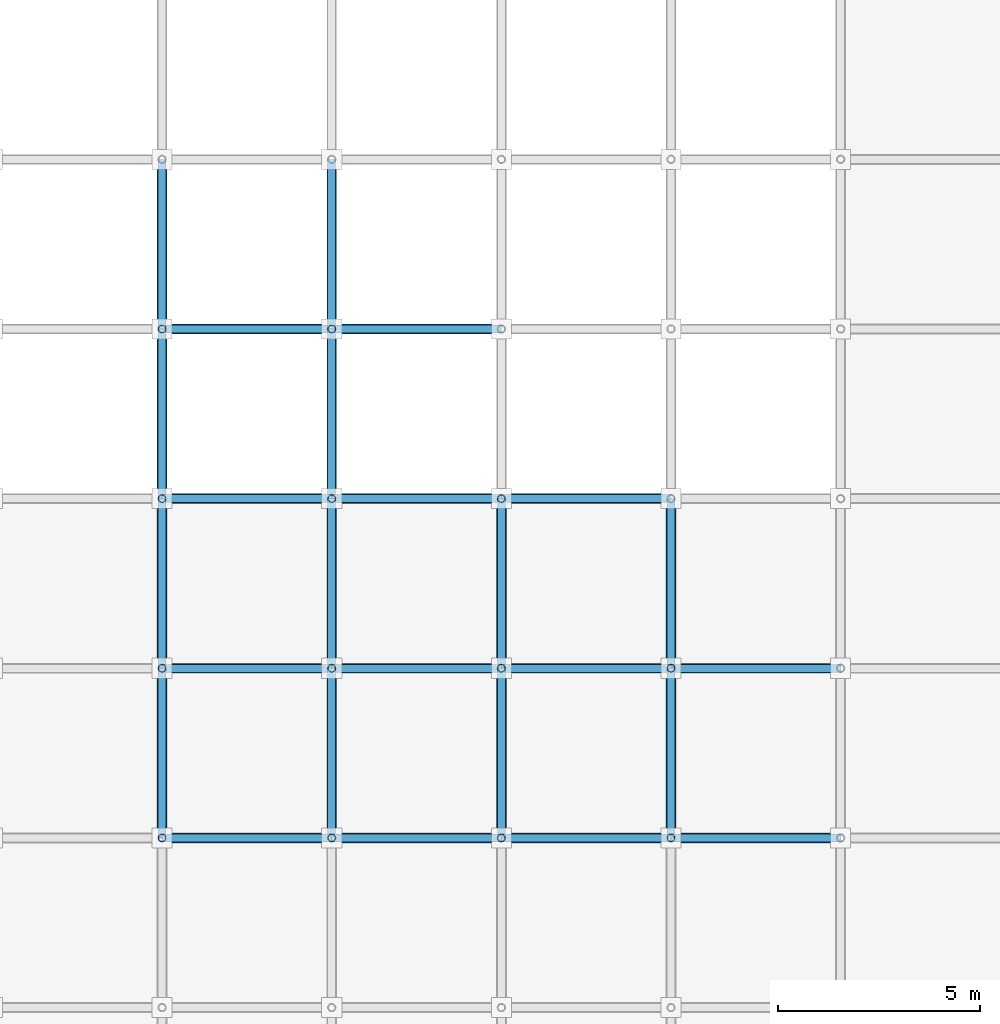
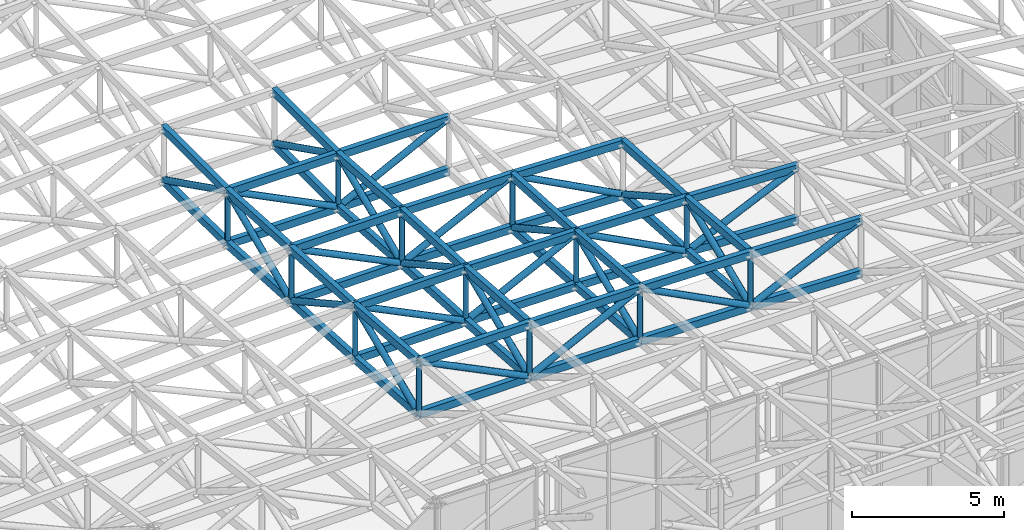
# One storey, part 37 of 123: 88 members.
"""IFC4 building model written with IfcOpenShell, lengths in metres."""

import ifcopenshell
import ifcopenshell.guid

model = None  # the IFC model being written
_history = None  # IfcOwnerHistory: only IFC2X3 demands one
_inside = {}  # id of a spatial element -> (the spatial element, [elements in it])
_under = {}  # id of a project, library or spatial element -> (it, [spatial elements below it])
_declared = {}  # id of a project -> (the project, [libraries it declares])
_typed = {}  # id of a type object -> (the type object, [elements of that type])
_made_of = {}  # id of a material, layer set ... -> (it, [elements and type objects made of it])


def new_model(schema):
    """Start an empty IFC model of exactly this schema.

    Asked for "IFC4X3", IfcOpenShell would pick the latest addendum, in which some entities
    have other attributes; the version numbers below select the first issue.
    IFC2X3 requires an IfcOwnerHistory on every rooted entity: one is made here for all.
    """
    global model, _history
    if schema == "IFC4X3":
        model = ifcopenshell.file(schema_version=(4, 3, 0, 0))
    else:
        model = ifcopenshell.file(schema=schema)
    _inside.clear()
    _under.clear()
    _declared.clear()
    _typed.clear()
    _made_of.clear()
    _history = None
    if model.schema == "IFC2X3":
        org = make("IfcOrganization", Name="unknown")
        user = make(
            "IfcPersonAndOrganization",
            ThePerson=make("IfcPerson", FamilyName="unknown"),
            TheOrganization=org,
        )
        app = make(
            "IfcApplication",
            ApplicationDeveloper=org,
            Version="unknown",
            ApplicationFullName="unknown",
            ApplicationIdentifier="unknown",
        )
        _history = make(
            "IfcOwnerHistory",
            OwningUser=user,
            OwningApplication=app,
            ChangeAction="ADDED",
            CreationDate=0,
        )
    return model


def make(cls, **values):
    """One entity of the class cls with the attributes given. An attribute that is None is left unset."""
    return model.create_entity(
        cls, **{name: value for name, value in values.items() if value is not None}
    )


def rooted(cls, **values):
    """An entity with a GlobalId (a new one), such as an element, a storey or a relation."""
    return make(cls, GlobalId=ifcopenshell.guid.new(), OwnerHistory=_history, **values)


def si_unit(unit_type, name, prefix=None):
    """IfcSIUnit, for example si_unit("LENGTHUNIT", "METRE", prefix="MILLI")."""
    return make("IfcSIUnit", UnitType=unit_type, Prefix=prefix, Name=name)


def assignment(units):
    """IfcUnitAssignment: the units of a project."""
    return None if units is None else make("IfcUnitAssignment", Units=units)


def point(xyz):
    """IfcCartesianPoint."""
    return None if xyz is None else make("IfcCartesianPoint", Coordinates=xyz)


def direction(xyz):
    """IfcDirection."""
    return None if xyz is None else make("IfcDirection", DirectionRatios=xyz)


def frame(location, z_axis=None, x_axis=None):
    """IfcAxis2Placement3D, a coordinate frame: its origin and axes. An axis left out is left unset."""
    return make(
        "IfcAxis2Placement3D",
        Location=point(location),
        Axis=direction(z_axis),
        RefDirection=direction(x_axis),
    )


def frame_2d(location, x_axis=None):
    """IfcAxis2Placement2D, a coordinate frame in the plane: its origin and x axis."""
    return make(
        "IfcAxis2Placement2D", Location=point(location), RefDirection=direction(x_axis)
    )


def origin():
    """The frame at (0, 0, 0) with its axes left unset."""
    return frame((0.0, 0.0, 0.0))


def origin_2d():
    """The frame at (0, 0) in the plane with its x axis left unset."""
    return frame_2d((0.0, 0.0))


def place(relative_to, where):
    """IfcLocalPlacement: puts the frame where relative to a parent placement (None: the world)."""
    return make(
        "IfcLocalPlacement", PlacementRelTo=relative_to, RelativePlacement=where
    )


def context(
    kind, dimensions, precision=None, world=None, true_north=None, identifier=None
):
    """IfcGeometricRepresentationContext, for example the 3D "Model" context."""
    return make(
        "IfcGeometricRepresentationContext",
        ContextIdentifier=identifier,
        ContextType=kind,
        CoordinateSpaceDimension=dimensions,
        Precision=precision,
        WorldCoordinateSystem=world,
        TrueNorth=true_north,
    )


def subcontext(parent, identifier, kind, view, scale=None):
    """IfcGeometricRepresentationSubContext, for example "Body" below "Model"."""
    return make(
        "IfcGeometricRepresentationSubContext",
        ContextIdentifier=identifier,
        ContextType=kind,
        ParentContext=parent,
        TargetScale=scale,
        TargetView=view,
    )


def project(units=None, contexts=None):
    """IfcProject with its units and contexts."""
    return rooted(
        "IfcProject",
        Name="project",
        RepresentationContexts=contexts,
        UnitsInContext=assignment(units),
    )


def spatial(cls, under=None, at=None, **own):
    """A site, building, storey or space (cls), placed at a placement, below another one or the project."""
    s = rooted(cls, ObjectPlacement=at, **own)
    if under is not None:
        _under.setdefault(under.id(), (under, []))[1].append(s)
    return s


def profile(cls, at=None, kind="AREA", **sizes):
    """A parametric profile (cls). Its sizes go by their IFC names, for example OverallWidth=200.0."""
    return make(cls, ProfileType=kind, Position=at, **sizes)


def hollow_rectangle(**sizes):
    """IfcRectangleHollowProfileDef."""
    return profile("IfcRectangleHollowProfileDef", **sizes)


def hollow_circle(**sizes):
    """IfcCircleHollowProfileDef."""
    return profile("IfcCircleHollowProfileDef", **sizes)


def extrude(swept, where, along, depth):
    """IfcExtrudedAreaSolid: the profile swept, set in the frame where, extruded along a direction by depth."""
    return make(
        "IfcExtrudedAreaSolid",
        SweptArea=swept,
        Position=where,
        ExtrudedDirection=direction(along),
        Depth=depth,
    )


def shape(context_of_items, identifier, shape_type, items):
    """IfcShapeRepresentation: the items that make up one representation, for example the "Body"."""
    return make(
        "IfcShapeRepresentation",
        ContextOfItems=context_of_items,
        RepresentationIdentifier=identifier,
        RepresentationType=shape_type,
        Items=items,
    )


def material(Name=None, Category=None):
    """IfcMaterial."""
    return make("IfcMaterial", Name=Name, Category=Category)


def material_profile(
    of_material, cross_section, Name=None, Category=None, Priority=None
):
    """IfcMaterialProfile: a cross section and its material."""
    return make(
        "IfcMaterialProfile",
        Name=Name,
        Material=of_material,
        Profile=cross_section,
        Priority=Priority,
        Category=Category,
    )


def profile_set(profiles, Name=None, composite=None):
    """IfcMaterialProfileSet."""
    return make(
        "IfcMaterialProfileSet",
        Name=Name,
        MaterialProfiles=profiles,
        CompositeProfile=composite,
    )


def made_of(thing, what):
    """Note that an element or type object is made of a material, layer set ...; save() writes the relation."""
    if what is not None:
        _made_of.setdefault(what.id(), (what, []))[1].append(thing)
    return thing


def type_object(cls, material=None, **own):
    """A type object (cls), such as IfcWallType, which elements share."""
    return made_of(rooted(cls, **own), material)


def element(
    cls,
    number,
    at=None,
    inside=None,
    cuts=None,
    type_object=None,
    material=None,
    context=None,
    identifier="Body",
    shape_type=None,
    held_by="IfcProductDefinitionShape",
    body=None,
    shapes=None,
    **own,
):
    """One element of the class cls, such as IfcWall. Its Tag is "e" and its number.

    at: its placement. inside: the storey or other place that contains it. cuts: it is an
    opening in that element (IfcRelVoidsElement). A single representation is given by context,
    identifier, shape_type and body (its items); several are given by shapes. held_by: the class
    of the entity that holds the representations. save() writes the other relations.
    """
    e = rooted(cls, Tag="e%d" % number, ObjectPlacement=at, **own)
    if body is not None:
        shapes = [shape(context, identifier, shape_type, body)]
    if shapes is not None:
        e.Representation = make(held_by, Representations=shapes)
    if inside is not None:
        _inside.setdefault(inside.id(), (inside, []))[1].append(e)
    if cuts is not None:
        rooted(
            "IfcRelVoidsElement", RelatingBuildingElement=cuts, RelatedOpeningElement=e
        )
    if type_object is not None:
        _typed.setdefault(type_object.id(), (type_object, []))[1].append(e)
    return made_of(e, material)


def aggregate(whole, parts):
    """IfcRelAggregates: a whole, such as a stair, and the parts it consists of."""
    return rooted("IfcRelAggregates", RelatingObject=whole, RelatedObjects=parts)


def save(model, path):
    """Write the relations noted so far, then the file.

    IfcRelAggregates (storeys below a building ...), IfcRelContainedInSpatialStructure (elements
    in a storey), IfcRelDefinesByType, IfcRelAssociatesMaterial and IfcRelDeclares: one each for
    every whole, place, type object, material and project.
    """
    for whole, parts in _under.values():
        aggregate(whole, parts)
    for where, things in _inside.values():
        rooted(
            "IfcRelContainedInSpatialStructure",
            RelatedElements=things,
            RelatingStructure=where,
        )
    for kind, things in _typed.values():
        rooted("IfcRelDefinesByType", RelatedObjects=things, RelatingType=kind)
    for what, things in _made_of.values():
        rooted("IfcRelAssociatesMaterial", RelatedObjects=things, RelatingMaterial=what)
    for by, libraries in _declared.values():
        rooted("IfcRelDeclares", RelatingContext=by, RelatedDefinitions=libraries)
    model.write(path)


model = new_model("IFC4")

# Units and contexts
model_context = context("Model", 3, precision=1e-05, world=origin(), true_north=direction((0.0, 1.0)))
body_context = subcontext(model_context, "Body", "Model", "MODEL_VIEW")
ifc_project = project(units=[si_unit("LENGTHUNIT", "METRE"), si_unit("AREAUNIT", "SQUARE_METRE"), si_unit("VOLUMEUNIT", "CUBIC_METRE"), si_unit("PLANEANGLEUNIT", "RADIAN"), si_unit("MASSUNIT", "GRAM", prefix="KILO")], contexts=[model_context])

# Site, building, storey
site_placement = place(None, origin())
site = spatial("IfcSite", under=ifc_project, at=site_placement, CompositionType="ELEMENT")
building_placement = place(site_placement, origin())
building = spatial("IfcBuilding", under=site, at=building_placement, Name="Cumbredor Promenade Congress Hotel", CompositionType="ELEMENT")
storey_placement = place(building_placement, frame((0.0, 0.0, 11.760009765625)))
storey = spatial("IfcBuildingStorey", under=building, at=storey_placement, Name="L03", CompositionType="ELEMENT", Elevation=11.760009765625)

# Members
ifc_material = material(Name="Steel ASTM A500 Grade C", Category="steel")
ifc_material_profile_1 = material_profile(ifc_material, hollow_rectangle(XDim=0.199951171875, YDim=0.300048828125, WallThickness=0.012451171875, at=origin_2d()), Name="HSS 300x200x12.5")
ifc_profile_set_1 = profile_set([ifc_material_profile_1], Name="Steel ASTM A500 Grade C")
member_type_1 = type_object("IfcMemberType", Name="Ballroom Roof Space Frame Chord", PredefinedType="CHORD", material=ifc_profile_set_1)
for number, where, z_axis, x_axis, name in (
    (1, (159.60009765625, 16.800048828125, 7.29052734375), (0.999982076435, 0.0, 0.005987220477), (0.0, 1.0, 0.0), "Grand Ballroom Pavilion X Top Chord 6.5"),
    (2, (159.60009765625, 16.800048828125, 5.190673828125), (0.999982422767, 0.0, 0.005929094177), (0.0, 1.0, 0.0), "Grand Ballroom Pavilion X Bottom Chord 6.5"),
    (3, (163.800048828125, 16.800048828125, 7.315673828125), (0.999982076435, 0.0, -0.005987220477), (0.0, 1.0, 0.0), "Grand Ballroom Pavilion X Top Chord 7.5"),
    (4, (163.800048828125, 16.800048828125, 5.215576171875), (0.999982422767, 0.0, -0.005929094177), (0.0, 1.0, 0.0), "Grand Ballroom Pavilion X Bottom Chord 7.5"),
):
    element("IfcMember", number, at=place(storey_placement, frame(where, z_axis=z_axis, x_axis=x_axis)), inside=storey, type_object=member_type_1, Name=name, PredefinedType="CHORD", context=body_context, shape_type="SweptSolid", body=[
        extrude(hollow_rectangle(XDim=0.199951171875, YDim=0.300048828125, WallThickness=0.012451171875, at=origin_2d()), origin(), (0.0, 0.0, 1.0), 4.199951171875),
    ])
for number, where, z_axis, x_axis, name in (
    (5, (168.0, 16.800048828125, 7.29052734375), (0.999841838259, 0.0, -0.01778478187), (0.0, 1.0, 0.0), "Grand Ballroom Pavilion X Top Chord 8.5"),
    (6, (168.0, 16.800048828125, 5.190673828125), (0.999840803081, 0.0, -0.017842883599), (0.0, 1.0, 0.0), "Grand Ballroom Pavilion X Bottom Chord 8.5"),
):
    element("IfcMember", number, at=place(storey_placement, frame(where, z_axis=z_axis, x_axis=x_axis)), inside=storey, type_object=member_type_1, Name=name, PredefinedType="CHORD", context=body_context, shape_type="SweptSolid", body=[
        extrude(hollow_rectangle(XDim=0.199951171875, YDim=0.300048828125, WallThickness=0.012451171875, at=origin_2d()), origin(), (0.0, 0.0, 1.0), 4.20068359375),
    ])
for number, where, z_axis, x_axis, name in (
    (7, (172.199951171875, 16.800048828125, 7.2158203125), (0.999560847032, 0.0, -0.029632972853), (0.0, 1.0, 0.0), "Grand Ballroom Pavilion X Top Chord 9.5"),
    (8, (172.199951171875, 16.800048828125, 5.11572265625), (0.999560847032, 0.0, -0.029632972853), (0.0, 1.0, 0.0), "Grand Ballroom Pavilion X Bottom Chord 9.5"),
):
    element("IfcMember", number, at=place(storey_placement, frame(where, z_axis=z_axis, x_axis=x_axis)), inside=storey, type_object=member_type_1, Name=name, PredefinedType="CHORD", context=body_context, shape_type="SweptSolid", body=[
        extrude(hollow_rectangle(XDim=0.199951171875, YDim=0.300048828125, WallThickness=0.012451171875, at=origin_2d()), origin(), (0.0, 0.0, 1.0), 4.201904296875),
    ])
for number, where, z_axis, x_axis, name in (
    (9, (159.60009765625, 21.0, 6.969970703125), (0.999962994954, 0.0, 0.008602832253), (0.0, 1.0, 0.0), "Grand Ballroom Pavilion X Top Chord 6.6"),
    (10, (159.60009765625, 21.0, 4.869873046875), (0.999962994954, 0.0, 0.008602832253), (0.0, 1.0, 0.0), "Grand Ballroom Pavilion X Bottom Chord 6.6"),
    (11, (163.800048828125, 21.0, 7.006103515625), (0.999962994954, 0.0, -0.008602832253), (0.0, 1.0, 0.0), "Grand Ballroom Pavilion X Top Chord 7.6"),
    (12, (163.800048828125, 21.0, 4.906005859375), (0.999962994954, 0.0, -0.008602832253), (0.0, 1.0, 0.0), "Grand Ballroom Pavilion X Bottom Chord 7.6"),
):
    element("IfcMember", number, at=place(storey_placement, frame(where, z_axis=z_axis, x_axis=x_axis)), inside=storey, type_object=member_type_1, Name=name, PredefinedType="CHORD", context=body_context, shape_type="SweptSolid", body=[
        extrude(hollow_rectangle(XDim=0.199951171875, YDim=0.300048828125, WallThickness=0.012451171875, at=origin_2d()), origin(), (0.0, 0.0, 1.0), 4.2001953125),
    ])
for number, where, z_axis, x_axis, name in (
    (13, (168.0, 21.0, 6.969970703125), (0.999670093245, 0.0, -0.02568471669), (0.0, 1.0, 0.0), "Grand Ballroom Pavilion X Top Chord 8.6"),
    (14, (168.0, 21.0, 4.869873046875), (0.999670093245, 0.0, -0.02568471669), (0.0, 1.0, 0.0), "Grand Ballroom Pavilion X Bottom Chord 8.6"),
):
    element("IfcMember", number, at=place(storey_placement, frame(where, z_axis=z_axis, x_axis=x_axis)), inside=storey, type_object=member_type_1, Name=name, PredefinedType="CHORD", context=body_context, shape_type="SweptSolid", body=[
        extrude(hollow_rectangle(XDim=0.199951171875, YDim=0.300048828125, WallThickness=0.012451171875, at=origin_2d()), origin(), (0.0, 0.0, 1.0), 4.201416015625),
    ])
for number, where, z_axis, x_axis, name in (
    (15, (172.199951171875, 21.0, 6.862060546875), (0.999083570035, 0.0, -0.042802103768), (0.0, 1.0, 0.0), "Grand Ballroom Pavilion X Top Chord 9.6"),
    (16, (172.199951171875, 21.0, 4.761962890625), (0.999086051861, 0.0, -0.042744133824), (0.0, 1.0, 0.0), "Grand Ballroom Pavilion X Bottom Chord 9.6"),
):
    element("IfcMember", number, at=place(storey_placement, frame(where, z_axis=z_axis, x_axis=x_axis)), inside=storey, type_object=member_type_1, Name=name, PredefinedType="CHORD", context=body_context, shape_type="SweptSolid", body=[
        extrude(hollow_rectangle(XDim=0.199951171875, YDim=0.300048828125, WallThickness=0.012451171875, at=origin_2d()), origin(), (0.0, 0.0, 1.0), 4.203857421875),
    ])
for number, where, z_axis, x_axis, name in (
    (17, (159.60009765625, 25.199951171875, 6.7294921875), (0.999944654448, 0.0, 0.010520838369), (0.0, 1.0, 0.0), "Grand Ballroom Pavilion X Top Chord 6.7"),
    (18, (159.60009765625, 25.199951171875, 4.62939453125), (0.999944654448, 0.0, 0.010520838369), (0.0, 1.0, 0.0), "Grand Ballroom Pavilion X Bottom Chord 6.7"),
    (19, (163.800048828125, 25.199951171875, 6.773681640625), (0.999944654448, 0.0, -0.010520838369), (0.0, 1.0, 0.0), "Grand Ballroom Pavilion X Top Chord 7.7"),
    (20, (163.800048828125, 25.199951171875, 4.673583984375), (0.999944654448, 0.0, -0.010520838369), (0.0, 1.0, 0.0), "Grand Ballroom Pavilion X Bottom Chord 7.7"),
):
    element("IfcMember", number, at=place(storey_placement, frame(where, z_axis=z_axis, x_axis=x_axis)), inside=storey, type_object=member_type_1, Name=name, PredefinedType="CHORD", context=body_context, shape_type="SweptSolid", body=[
        extrude(hollow_rectangle(XDim=0.199951171875, YDim=0.300048828125, WallThickness=0.012451171875, at=origin_2d()), origin(), (0.0, 0.0, 1.0), 4.2001953125),
    ])
for number, where, z_axis, x_axis, name in (
    (21, (168.0, 25.199951171875, 6.7294921875), (0.999500386849, 0.0, -0.031606592481), (0.0, 1.0, 0.0), "Grand Ballroom Pavilion X Top Chord 8.7"),
    (22, (168.0, 25.199951171875, 4.62939453125), (0.999500386849, 0.0, -0.031606592481), (0.0, 1.0, 0.0), "Grand Ballroom Pavilion X Bottom Chord 8.7"),
):
    element("IfcMember", number, at=place(storey_placement, frame(where, z_axis=z_axis, x_axis=x_axis)), inside=storey, type_object=member_type_1, Name=name, PredefinedType="CHORD", context=body_context, shape_type="SweptSolid", body=[
        extrude(hollow_rectangle(XDim=0.199951171875, YDim=0.300048828125, WallThickness=0.012451171875, at=origin_2d()), origin(), (0.0, 0.0, 1.0), 4.2021484375),
    ])
for number, where, z_axis, x_axis, name in (
    (23, (159.60009765625, 29.39990234375, 6.48876953125), (1.0, 0.0, 0.0), (0.0, 1.0, 0.0), "Grand Ballroom Pavilion X Top Chord 6.8"),
    (24, (159.60009765625, 29.39990234375, 4.388671875), (1.0, 0.0, 0.0), (0.0, 1.0, 0.0), "Grand Ballroom Pavilion X Bottom Chord 6.8"),
    (25, (163.800048828125, 29.39990234375, 6.48876953125), (1.0, 0.0, 0.0), (0.0, 1.0, 0.0), "Grand Ballroom Pavilion X Top Chord 7.8"),
    (26, (163.800048828125, 29.39990234375, 4.388671875), (1.0, 0.0, 0.0), (0.0, 1.0, 0.0), "Grand Ballroom Pavilion X Bottom Chord 7.8"),
):
    element("IfcMember", number, at=place(storey_placement, frame(where, z_axis=z_axis, x_axis=x_axis)), inside=storey, type_object=member_type_1, Name=name, PredefinedType="CHORD", context=body_context, shape_type="SweptSolid", body=[
        extrude(hollow_rectangle(XDim=0.199951171875, YDim=0.300048828125, WallThickness=0.012451171875, at=origin_2d()), origin(), (0.0, 0.0, 1.0), 4.199951171875),
    ])
for number, where, z_axis, x_axis, name in (
    (27, (159.60009765625, 16.800048828125, 7.29052734375), (0.0, 0.99709999537, -0.07610255734), (-1.0, 0.0, 0.0), "Grand Ballroom Pavilion Y Top Chord 6.5"),
    (28, (159.60009765625, 16.800048828125, 5.190673828125), (0.0, 0.997095595549, -0.076160182093), (-1.0, 0.0, 0.0), "Grand Ballroom Pavilion Y Bottom Chord 6.5"),
):
    element("IfcMember", number, at=place(storey_placement, frame(where, z_axis=z_axis, x_axis=x_axis)), inside=storey, type_object=member_type_1, Name=name, PredefinedType="CHORD", context=body_context, shape_type="SweptSolid", body=[
        extrude(hollow_rectangle(XDim=0.199951171875, YDim=0.300048828125, WallThickness=0.012451171875, at=origin_2d()), origin(), (0.0, 0.0, 1.0), 4.212158203125),
    ])
for number, where, z_axis, x_axis, name in (
    (29, (159.60009765625, 21.0, 6.969970703125), (0.0, 0.998364811443, -0.05716382836), (-1.0, 0.0, 0.0), "Grand Ballroom Pavilion Y Top Chord 6.6"),
    (30, (159.60009765625, 21.0, 4.869873046875), (0.0, 0.998364811443, -0.05716382836), (-1.0, 0.0, 0.0), "Grand Ballroom Pavilion Y Bottom Chord 6.6"),
    (31, (159.60009765625, 25.199951171875, 6.7294921875), (0.0, 0.998361497738, -0.057221672776), (-1.0, 0.0, 0.0), "Grand Ballroom Pavilion Y Top Chord 6.7"),
    (32, (159.60009765625, 25.199951171875, 4.62939453125), (0.0, 0.998361497738, -0.057221672776), (-1.0, 0.0, 0.0), "Grand Ballroom Pavilion Y Bottom Chord 6.7"),
):
    element("IfcMember", number, at=place(storey_placement, frame(where, z_axis=z_axis, x_axis=x_axis)), inside=storey, type_object=member_type_1, Name=name, PredefinedType="CHORD", context=body_context, shape_type="SweptSolid", body=[
        extrude(hollow_rectangle(XDim=0.199951171875, YDim=0.300048828125, WallThickness=0.012451171875, at=origin_2d()), origin(), (0.0, 0.0, 1.0), 4.206787109375),
    ])
for number, where, z_axis, x_axis, name in (
    (33, (159.60009765625, 29.39990234375, 6.48876953125), (0.0, 0.999999998311, 5.8126017e-05), (-1.0, 0.0, 0.0), "Grand Ballroom Pavilion Y Top Chord 6.8"),
    (34, (159.60009765625, 29.39990234375, 4.388671875), (0.0, 0.999999993243, 0.000116252034), (-1.0, 0.0, 0.0), "Grand Ballroom Pavilion Y Bottom Chord 6.8"),
):
    element("IfcMember", number, at=place(storey_placement, frame(where, z_axis=z_axis, x_axis=x_axis)), inside=storey, type_object=member_type_1, Name=name, PredefinedType="CHORD", context=body_context, shape_type="SweptSolid", body=[
        extrude(hollow_rectangle(XDim=0.199951171875, YDim=0.300048828125, WallThickness=0.012451171875, at=origin_2d()), origin(), (0.0, 0.0, 1.0), 4.2001953125),
    ])
for number, where, z_axis, x_axis, name in (
    (35, (163.800048828125, 16.800048828125, 7.315673828125), (0.0, 0.997294578596, -0.073508662772), (-1.0, 0.0, 0.0), "Grand Ballroom Pavilion Y Top Chord 7.5"),
    (36, (163.800048828125, 16.800048828125, 5.215576171875), (0.0, 0.997294578596, -0.073508662772), (-1.0, 0.0, 0.0), "Grand Ballroom Pavilion Y Bottom Chord 7.5"),
):
    element("IfcMember", number, at=place(storey_placement, frame(where, z_axis=z_axis, x_axis=x_axis)), inside=storey, type_object=member_type_1, Name=name, PredefinedType="CHORD", context=body_context, shape_type="SweptSolid", body=[
        extrude(hollow_rectangle(XDim=0.199951171875, YDim=0.300048828125, WallThickness=0.012451171875, at=origin_2d()), origin(), (0.0, 0.0, 1.0), 4.21142578125),
    ])
for number, where, z_axis, x_axis, name in (
    (37, (163.800048828125, 21.0, 7.006103515625), (0.0, 0.998472295268, -0.055254643091), (-1.0, 0.0, 0.0), "Grand Ballroom Pavilion Y Top Chord 7.6"),
    (38, (163.800048828125, 21.0, 4.906005859375), (0.0, 0.998472295268, -0.055254643091), (-1.0, 0.0, 0.0), "Grand Ballroom Pavilion Y Bottom Chord 7.6"),
):
    element("IfcMember", number, at=place(storey_placement, frame(where, z_axis=z_axis, x_axis=x_axis)), inside=storey, type_object=member_type_1, Name=name, PredefinedType="CHORD", context=body_context, shape_type="SweptSolid", body=[
        extrude(hollow_rectangle(XDim=0.199951171875, YDim=0.300048828125, WallThickness=0.012451171875, at=origin_2d()), origin(), (0.0, 0.0, 1.0), 4.206298828125),
    ])
for number, where, z_axis, x_axis, name in (
    (39, (163.800048828125, 25.199951171875, 6.773681640625), (0.0, 0.997706981448, -0.067681453662), (-1.0, 0.0, 0.0), "Grand Ballroom Pavilion Y Top Chord 7.7"),
    (40, (163.800048828125, 25.199951171875, 4.673583984375), (0.0, 0.997706981448, -0.067681453662), (-1.0, 0.0, 0.0), "Grand Ballroom Pavilion Y Bottom Chord 7.7"),
):
    element("IfcMember", number, at=place(storey_placement, frame(where, z_axis=z_axis, x_axis=x_axis)), inside=storey, type_object=member_type_1, Name=name, PredefinedType="CHORD", context=body_context, shape_type="SweptSolid", body=[
        extrude(hollow_rectangle(XDim=0.199951171875, YDim=0.300048828125, WallThickness=0.012451171875, at=origin_2d()), origin(), (0.0, 0.0, 1.0), 4.209716796875),
    ])
for number, where, z_axis, x_axis, name in (
    (41, (163.800048828125, 29.39990234375, 6.48876953125), (0.0, 0.999999993243, 0.000116252034), (-1.0, 0.0, 0.0), "Grand Ballroom Pavilion Y Top Chord 7.8"),
    (42, (163.800048828125, 29.39990234375, 4.388671875), (0.0, 0.999999984796, 0.000174378049), (-1.0, 0.0, 0.0), "Grand Ballroom Pavilion Y Bottom Chord 7.8"),
):
    element("IfcMember", number, at=place(storey_placement, frame(where, z_axis=z_axis, x_axis=x_axis)), inside=storey, type_object=member_type_1, Name=name, PredefinedType="CHORD", context=body_context, shape_type="SweptSolid", body=[
        extrude(hollow_rectangle(XDim=0.199951171875, YDim=0.300048828125, WallThickness=0.012451171875, at=origin_2d()), origin(), (0.0, 0.0, 1.0), 4.2001953125),
    ])
for number, where, z_axis, x_axis, name in (
    (43, (168.0, 16.800048828125, 7.29052734375), (0.0, 0.99709999537, -0.07610255734), (-1.0, 0.0, 0.0), "Grand Ballroom Pavilion Y Top Chord 8.5"),
    (44, (168.0, 16.800048828125, 5.190673828125), (0.0, 0.997095595549, -0.076160182093), (-1.0, 0.0, 0.0), "Grand Ballroom Pavilion Y Bottom Chord 8.5"),
):
    element("IfcMember", number, at=place(storey_placement, frame(where, z_axis=z_axis, x_axis=x_axis)), inside=storey, type_object=member_type_1, Name=name, PredefinedType="CHORD", context=body_context, shape_type="SweptSolid", body=[
        extrude(hollow_rectangle(XDim=0.199951171875, YDim=0.300048828125, WallThickness=0.012451171875, at=origin_2d()), origin(), (0.0, 0.0, 1.0), 4.212158203125),
    ])
for number, where, z_axis, x_axis, name in (
    (45, (168.0, 21.0, 6.969970703125), (0.0, 0.998364811443, -0.05716382836), (-1.0, 0.0, 0.0), "Grand Ballroom Pavilion Y Top Chord 8.6"),
    (46, (168.0, 21.0, 4.869873046875), (0.0, 0.998364811443, -0.05716382836), (-1.0, 0.0, 0.0), "Grand Ballroom Pavilion Y Bottom Chord 8.6"),
):
    element("IfcMember", number, at=place(storey_placement, frame(where, z_axis=z_axis, x_axis=x_axis)), inside=storey, type_object=member_type_1, Name=name, PredefinedType="CHORD", context=body_context, shape_type="SweptSolid", body=[
        extrude(hollow_rectangle(XDim=0.199951171875, YDim=0.300048828125, WallThickness=0.012451171875, at=origin_2d()), origin(), (0.0, 0.0, 1.0), 4.206787109375),
    ])
for number, where, z_axis, x_axis, name in (
    (47, (172.199951171875, 16.800048828125, 7.2158203125), (0.0, 0.996471460241, -0.083932287734), (-1.0, 0.0, 0.0), "Grand Ballroom Pavilion Y Top Chord 9.5"),
    (48, (172.199951171875, 16.800048828125, 5.11572265625), (0.0, 0.996471460241, -0.083932287734), (-1.0, 0.0, 0.0), "Grand Ballroom Pavilion Y Bottom Chord 9.5"),
):
    element("IfcMember", number, at=place(storey_placement, frame(where, z_axis=z_axis, x_axis=x_axis)), inside=storey, type_object=member_type_1, Name=name, PredefinedType="CHORD", context=body_context, shape_type="SweptSolid", body=[
        extrude(hollow_rectangle(XDim=0.199951171875, YDim=0.300048828125, WallThickness=0.012451171875, at=origin_2d()), origin(), (0.0, 0.0, 1.0), 4.21484375),
    ])
for number, where, z_axis, x_axis, name in (
    (49, (172.199951171875, 21.0, 6.862060546875), (0.0, 0.998009681271, -0.063060891911), (-1.0, 0.0, 0.0), "Grand Ballroom Pavilion Y Top Chord 9.6"),
    (50, (172.199951171875, 21.0, 4.761962890625), (0.0, 0.998009681271, -0.063060891911), (-1.0, 0.0, 0.0), "Grand Ballroom Pavilion Y Bottom Chord 9.6"),
):
    element("IfcMember", number, at=place(storey_placement, frame(where, z_axis=z_axis, x_axis=x_axis)), inside=storey, type_object=member_type_1, Name=name, PredefinedType="CHORD", context=body_context, shape_type="SweptSolid", body=[
        extrude(hollow_rectangle(XDim=0.199951171875, YDim=0.300048828125, WallThickness=0.012451171875, at=origin_2d()), origin(), (0.0, 0.0, 1.0), 4.208251953125),
    ])
ifc_material_profile_2 = material_profile(ifc_material, hollow_circle(Radius=0.122314453125, WallThickness=0.012451171875, at=origin_2d()), Name="CHS 244.5x12.5")
ifc_profile_set_2 = profile_set([ifc_material_profile_2], Name="Steel ASTM A500 Grade C")
member_type_2 = type_object("IfcMemberType", Name="Space Frame Web Diagonal D2", PredefinedType="BRACE", material=ifc_profile_set_2)
for number, where, z_axis, x_axis, name in (
    (51, (159.60009765625, 16.800048828125, 7.29052734375), (0.896553742848, 0.0, -0.442934968347), (0.0, 1.0, 0.0), "Grand Ballroom Pavilion X Web Diagonal 6.5"),
    (52, (163.800048828125, 16.800048828125, 5.215576171875), (0.896553742848, 0.0, 0.442934968347), (0.0, 1.0, 0.0), "Grand Ballroom Pavilion X Web Diagonal 7.5"),
):
    element("IfcMember", number, at=place(storey_placement, frame(where, z_axis=z_axis, x_axis=x_axis)), inside=storey, type_object=member_type_2, Name=name, PredefinedType="BRACE", context=body_context, shape_type="SweptSolid", body=[
        extrude(hollow_circle(Radius=0.122314453125, WallThickness=0.012451171875, at=origin_2d()), origin(), (0.0, 0.0, 1.0), 4.6845703125),
    ])
member_1_placement = place(storey_placement, frame((168.0, 16.800048828125, 7.29052734375), z_axis=(0.888009088628, 0.0, -0.459825900221), x_axis=(0.0, 1.0, 0.0)))
element("IfcMember", 53, at=member_1_placement, inside=storey, type_object=member_type_2, Name="Grand Ballroom Pavilion X Web Diagonal 8.5", PredefinedType="BRACE", context=body_context, shape_type="SweptSolid", body=[
    extrude(hollow_circle(Radius=0.122314453125, WallThickness=0.012451171875, at=origin_2d()), origin(), (0.0, 0.0, 1.0), 4.729736328125),
])
member_2_placement = place(storey_placement, frame((172.199951171875, 16.800048828125, 5.11572265625), z_axis=(0.904890214496, 0.0, 0.425645039569), x_axis=(0.0, 1.0, 0.0)))
element("IfcMember", 54, at=member_2_placement, inside=storey, type_object=member_type_2, Name="Grand Ballroom Pavilion X Web Diagonal 9.5", PredefinedType="BRACE", context=body_context, shape_type="SweptSolid", body=[
    extrude(hollow_circle(Radius=0.122314453125, WallThickness=0.012451171875, at=origin_2d()), origin(), (0.0, 0.0, 1.0), 4.641357421875),
])
for number, where, z_axis, x_axis, name in (
    (55, (159.60009765625, 21.0, 6.969970703125), (0.897484047606, 0.0, -0.441046918471), (0.0, 1.0, 0.0), "Grand Ballroom Pavilion X Web Diagonal 6.6"),
    (56, (163.800048828125, 21.0, 4.906005859375), (0.897484047606, 0.0, 0.441046918471), (0.0, 1.0, 0.0), "Grand Ballroom Pavilion X Web Diagonal 7.6"),
):
    element("IfcMember", number, at=place(storey_placement, frame(where, z_axis=z_axis, x_axis=x_axis)), inside=storey, type_object=member_type_2, Name=name, PredefinedType="BRACE", context=body_context, shape_type="SweptSolid", body=[
        extrude(hollow_circle(Radius=0.122314453125, WallThickness=0.012451171875, at=origin_2d()), origin(), (0.0, 0.0, 1.0), 4.6796875),
    ])
member_3_placement = place(storey_placement, frame((168.0, 21.0, 6.969970703125), z_axis=(0.885134650712, 0.0, -0.465334986981), x_axis=(0.0, 1.0, 0.0)))
element("IfcMember", 57, at=member_3_placement, inside=storey, type_object=member_type_2, Name="Grand Ballroom Pavilion X Web Diagonal 8.6", PredefinedType="BRACE", context=body_context, shape_type="SweptSolid", body=[
    extrude(hollow_circle(Radius=0.122314453125, WallThickness=0.012451171875, at=origin_2d()), origin(), (0.0, 0.0, 1.0), 4.744873046875),
])
member_4_placement = place(storey_placement, frame((172.199951171875, 21.0, 4.761962890625), z_axis=(0.909459054134, 0.0, 0.41579349304), x_axis=(0.0, 1.0, 0.0)))
element("IfcMember", 58, at=member_4_placement, inside=storey, type_object=member_type_2, Name="Grand Ballroom Pavilion X Web Diagonal 9.6", PredefinedType="BRACE", context=body_context, shape_type="SweptSolid", body=[
    extrude(hollow_circle(Radius=0.122314453125, WallThickness=0.012451171875, at=origin_2d()), origin(), (0.0, 0.0, 1.0), 4.6181640625),
])
for number, where, z_axis, x_axis, name in (
    (59, (159.60009765625, 25.199951171875, 6.7294921875), (0.898164963681, 0.0, -0.439658615309), (0.0, 1.0, 0.0), "Grand Ballroom Pavilion X Web Diagonal 6.7"),
    (60, (163.800048828125, 25.199951171875, 4.673583984375), (0.898164963681, 0.0, 0.439658615309), (0.0, 1.0, 0.0), "Grand Ballroom Pavilion X Web Diagonal 7.7"),
):
    element("IfcMember", number, at=place(storey_placement, frame(where, z_axis=z_axis, x_axis=x_axis)), inside=storey, type_object=member_type_2, Name=name, PredefinedType="BRACE", context=body_context, shape_type="SweptSolid", body=[
        extrude(hollow_circle(Radius=0.122314453125, WallThickness=0.012451171875, at=origin_2d()), origin(), (0.0, 0.0, 1.0), 4.676025390625),
    ])
member_5_placement = place(storey_placement, frame((168.0, 25.199951171875, 6.7294921875), z_axis=(0.882968811413, 0.0, -0.469431654315), x_axis=(0.0, 1.0, 0.0)))
element("IfcMember", 61, at=member_5_placement, inside=storey, type_object=member_type_2, Name="Grand Ballroom Pavilion X Web Diagonal 8.7", PredefinedType="BRACE", context=body_context, shape_type="SweptSolid", body=[
    extrude(hollow_circle(Radius=0.122314453125, WallThickness=0.012451171875, at=origin_2d()), origin(), (0.0, 0.0, 1.0), 4.756591796875),
])
for number, where, z_axis, x_axis, name in (
    (62, (159.60009765625, 29.39990234375, 6.48876953125), (0.894416792377, 0.0, -0.447234392142), (0.0, 1.0, 0.0), "Grand Ballroom Pavilion X Web Diagonal 6.8"),
    (63, (163.800048828125, 29.39990234375, 4.388671875), (0.894416792377, 0.0, 0.447234392142), (0.0, 1.0, 0.0), "Grand Ballroom Pavilion X Web Diagonal 7.8"),
):
    element("IfcMember", number, at=place(storey_placement, frame(where, z_axis=z_axis, x_axis=x_axis)), inside=storey, type_object=member_type_2, Name=name, PredefinedType="BRACE", context=body_context, shape_type="SweptSolid", body=[
        extrude(hollow_circle(Radius=0.122314453125, WallThickness=0.012451171875, at=origin_2d()), origin(), (0.0, 0.0, 1.0), 4.69580078125),
    ])
member_6_placement = place(storey_placement, frame((159.60009765625, 16.800048828125, 5.190673828125), z_axis=(0.0, 0.920778767402, 0.390085197746), x_axis=(-1.0, 0.0, 0.0)))
element("IfcMember", 64, at=member_6_placement, inside=storey, type_object=member_type_2, Name="Grand Ballroom Pavilion Y Web Diagonal 6.5", PredefinedType="BRACE", context=body_context, shape_type="SweptSolid", body=[
    extrude(hollow_circle(Radius=0.122314453125, WallThickness=0.012451171875, at=origin_2d()), origin(), (0.0, 0.0, 1.0), 4.561279296875),
])
member_7_placement = place(storey_placement, frame((159.60009765625, 21.0, 6.969970703125), z_axis=(0.0, 0.873514616169, -0.486797920433), x_axis=(-1.0, 0.0, 0.0)))
element("IfcMember", 65, at=member_7_placement, inside=storey, type_object=member_type_2, Name="Grand Ballroom Pavilion Y Web Diagonal 6.6", PredefinedType="BRACE", context=body_context, shape_type="SweptSolid", body=[
    extrude(hollow_circle(Radius=0.122314453125, WallThickness=0.012451171875, at=origin_2d()), origin(), (0.0, 0.0, 1.0), 4.80810546875),
])
member_8_placement = place(storey_placement, frame((159.60009765625, 25.199951171875, 4.62939453125), z_axis=(0.0, 0.914398020094, 0.40481632977), x_axis=(-1.0, 0.0, 0.0)))
element("IfcMember", 66, at=member_8_placement, inside=storey, type_object=member_type_2, Name="Grand Ballroom Pavilion Y Web Diagonal 6.7", PredefinedType="BRACE", context=body_context, shape_type="SweptSolid", body=[
    extrude(hollow_circle(Radius=0.122314453125, WallThickness=0.012451171875, at=origin_2d()), origin(), (0.0, 0.0, 1.0), 4.593017578125),
])
member_9_placement = place(storey_placement, frame((159.60009765625, 29.39990234375, 6.48876953125), z_axis=(0.0, 0.894468780658, -0.447130406513), x_axis=(-1.0, 0.0, 0.0)))
element("IfcMember", 67, at=member_9_placement, inside=storey, type_object=member_type_2, Name="Grand Ballroom Pavilion Y Web Diagonal 6.8", PredefinedType="BRACE", context=body_context, shape_type="SweptSolid", body=[
    extrude(hollow_circle(Radius=0.122314453125, WallThickness=0.012451171875, at=origin_2d()), origin(), (0.0, 0.0, 1.0), 4.69580078125),
])
member_10_placement = place(storey_placement, frame((163.800048828125, 16.800048828125, 5.215576171875), z_axis=(0.0, 0.919892907516, 0.392169655509), x_axis=(-1.0, 0.0, 0.0)))
element("IfcMember", 68, at=member_10_placement, inside=storey, type_object=member_type_2, Name="Grand Ballroom Pavilion Y Web Diagonal 7.5", PredefinedType="BRACE", context=body_context, shape_type="SweptSolid", body=[
    extrude(hollow_circle(Radius=0.122314453125, WallThickness=0.012451171875, at=origin_2d()), origin(), (0.0, 0.0, 1.0), 4.565673828125),
])
member_11_placement = place(storey_placement, frame((163.800048828125, 21.0, 7.006103515625), z_axis=(0.0, 0.874226782731, -0.485517798187), x_axis=(-1.0, 0.0, 0.0)))
element("IfcMember", 69, at=member_11_placement, inside=storey, type_object=member_type_2, Name="Grand Ballroom Pavilion Y Web Diagonal 7.6", PredefinedType="BRACE", context=body_context, shape_type="SweptSolid", body=[
    extrude(hollow_circle(Radius=0.122314453125, WallThickness=0.012451171875, at=origin_2d()), origin(), (0.0, 0.0, 1.0), 4.80419921875),
])
member_12_placement = place(storey_placement, frame((163.800048828125, 25.199951171875, 4.673583984375), z_axis=(0.0, 0.917937400639, 0.396725255697), x_axis=(-1.0, 0.0, 0.0)))
element("IfcMember", 70, at=member_12_placement, inside=storey, type_object=member_type_2, Name="Grand Ballroom Pavilion Y Web Diagonal 7.7", PredefinedType="BRACE", context=body_context, shape_type="SweptSolid", body=[
    extrude(hollow_circle(Radius=0.122314453125, WallThickness=0.012451171875, at=origin_2d()), origin(), (0.0, 0.0, 1.0), 4.575439453125),
])
member_13_placement = place(storey_placement, frame((163.800048828125, 29.39990234375, 6.48876953125), z_axis=(0.0, 0.894489574035, -0.447088807668), x_axis=(-1.0, 0.0, 0.0)))
element("IfcMember", 71, at=member_13_placement, inside=storey, type_object=member_type_2, Name="Grand Ballroom Pavilion Y Web Diagonal 7.8", PredefinedType="BRACE", context=body_context, shape_type="SweptSolid", body=[
    extrude(hollow_circle(Radius=0.122314453125, WallThickness=0.012451171875, at=origin_2d()), origin(), (0.0, 0.0, 1.0), 4.695556640625),
])
member_14_placement = place(storey_placement, frame((168.0, 16.800048828125, 5.190673828125), z_axis=(0.0, 0.920778767402, 0.390085197746), x_axis=(-1.0, 0.0, 0.0)))
element("IfcMember", 72, at=member_14_placement, inside=storey, type_object=member_type_2, Name="Grand Ballroom Pavilion Y Web Diagonal 8.5", PredefinedType="BRACE", context=body_context, shape_type="SweptSolid", body=[
    extrude(hollow_circle(Radius=0.122314453125, WallThickness=0.012451171875, at=origin_2d()), origin(), (0.0, 0.0, 1.0), 4.561279296875),
])
member_15_placement = place(storey_placement, frame((168.0, 21.0, 6.969970703125), z_axis=(0.0, 0.873514616169, -0.486797920433), x_axis=(-1.0, 0.0, 0.0)))
element("IfcMember", 73, at=member_15_placement, inside=storey, type_object=member_type_2, Name="Grand Ballroom Pavilion Y Web Diagonal 8.6", PredefinedType="BRACE", context=body_context, shape_type="SweptSolid", body=[
    extrude(hollow_circle(Radius=0.122314453125, WallThickness=0.012451171875, at=origin_2d()), origin(), (0.0, 0.0, 1.0), 4.80810546875),
])
member_16_placement = place(storey_placement, frame((172.199951171875, 16.800048828125, 5.11572265625), z_axis=(0.0, 0.923360923051, 0.383933074614), x_axis=(-1.0, 0.0, 0.0)))
element("IfcMember", 74, at=member_16_placement, inside=storey, type_object=member_type_2, Name="Grand Ballroom Pavilion Y Web Diagonal 9.5", PredefinedType="BRACE", context=body_context, shape_type="SweptSolid", body=[
    extrude(hollow_circle(Radius=0.122314453125, WallThickness=0.012451171875, at=origin_2d()), origin(), (0.0, 0.0, 1.0), 4.548583984375),
])
member_17_placement = place(storey_placement, frame((172.199951171875, 21.0, 6.862060546875), z_axis=(0.0, 0.871308939309, -0.490734890017), x_axis=(-1.0, 0.0, 0.0)))
element("IfcMember", 75, at=member_17_placement, inside=storey, type_object=member_type_2, Name="Grand Ballroom Pavilion Y Web Diagonal 9.6", PredefinedType="BRACE", context=body_context, shape_type="SweptSolid", body=[
    extrude(hollow_circle(Radius=0.122314453125, WallThickness=0.012451171875, at=origin_2d()), origin(), (0.0, 0.0, 1.0), 4.8203125),
])
ifc_material_profile_3 = material_profile(ifc_material, hollow_circle(Radius=0.096923828125, WallThickness=0.010009765625, at=origin_2d()), Name="CHS 193.7x10")
ifc_profile_set_3 = profile_set([ifc_material_profile_3], Name="Steel ASTM A500 Grade C")
member_type_3 = type_object("IfcMemberType", Name="Space Frame Web Post P1", PredefinedType="BRACE", material=ifc_profile_set_3)
member_18_placement = place(storey_placement, frame((159.60009765625, 16.800048828125, 5.190673828125), z_axis=(0.0, 0.0, 1.0), x_axis=(1.0, 0.0, 0.0)))
element("IfcMember", 76, at=member_18_placement, inside=storey, type_object=member_type_3, Name="Grand Ballroom Pavilion Space Frame Web Post 6.5", PredefinedType="BRACE", context=body_context, shape_type="SweptSolid", body=[
    extrude(hollow_circle(Radius=0.096923828125, WallThickness=0.010009765625, at=origin_2d()), origin(), (0.0, 0.0, 1.0), 2.099853515625),
])
for number, where, z_axis, x_axis, name in (
    (77, (159.60009765625, 21.0, 4.869873046875), (0.0, 0.0, 1.0), (1.0, 0.0, 0.0), "Grand Ballroom Pavilion Space Frame Web Post 6.6"),
    (78, (159.60009765625, 25.199951171875, 4.62939453125), (0.0, 0.0, 1.0), (1.0, 0.0, 0.0), "Grand Ballroom Pavilion Space Frame Web Post 6.7"),
    (79, (159.60009765625, 29.39990234375, 4.388671875), (0.0, 0.0, 1.0), (1.0, 0.0, 0.0), "Grand Ballroom Pavilion Space Frame Web Post 6.8"),
    (80, (163.800048828125, 16.800048828125, 5.215576171875), (0.0, 0.0, 1.0), (1.0, 0.0, 0.0), "Grand Ballroom Pavilion Space Frame Web Post 7.5"),
    (81, (163.800048828125, 21.0, 4.906005859375), (0.0, 0.0, 1.0), (1.0, 0.0, 0.0), "Grand Ballroom Pavilion Space Frame Web Post 7.6"),
    (82, (163.800048828125, 25.199951171875, 4.673583984375), (0.0, 0.0, 1.0), (1.0, 0.0, 0.0), "Grand Ballroom Pavilion Space Frame Web Post 7.7"),
    (83, (163.800048828125, 29.39990234375, 4.388671875), (0.0, 0.0, 1.0), (1.0, 0.0, 0.0), "Grand Ballroom Pavilion Space Frame Web Post 7.8"),
):
    element("IfcMember", number, at=place(storey_placement, frame(where, z_axis=z_axis, x_axis=x_axis)), inside=storey, type_object=member_type_3, Name=name, PredefinedType="BRACE", context=body_context, shape_type="SweptSolid", body=[
        extrude(hollow_circle(Radius=0.096923828125, WallThickness=0.010009765625, at=origin_2d()), origin(), (0.0, 0.0, 1.0), 2.10009765625),
    ])
member_19_placement = place(storey_placement, frame((168.0, 16.800048828125, 5.190673828125), z_axis=(0.0, 0.0, 1.0), x_axis=(1.0, 0.0, 0.0)))
element("IfcMember", 84, at=member_19_placement, inside=storey, type_object=member_type_3, Name="Grand Ballroom Pavilion Space Frame Web Post 8.5", PredefinedType="BRACE", context=body_context, shape_type="SweptSolid", body=[
    extrude(hollow_circle(Radius=0.096923828125, WallThickness=0.010009765625, at=origin_2d()), origin(), (0.0, 0.0, 1.0), 2.099853515625),
])
for number, where, z_axis, x_axis, name in (
    (85, (168.0, 21.0, 4.869873046875), (0.0, 0.0, 1.0), (1.0, 0.0, 0.0), "Grand Ballroom Pavilion Space Frame Web Post 8.6"),
    (86, (168.0, 25.199951171875, 4.62939453125), (0.0, 0.0, 1.0), (1.0, 0.0, 0.0), "Grand Ballroom Pavilion Space Frame Web Post 8.7"),
    (87, (172.199951171875, 16.800048828125, 5.11572265625), (0.0, 0.0, 1.0), (1.0, 0.0, 0.0), "Grand Ballroom Pavilion Space Frame Web Post 9.5"),
    (88, (172.199951171875, 21.0, 4.761962890625), (0.0, 0.0, 1.0), (1.0, 0.0, 0.0), "Grand Ballroom Pavilion Space Frame Web Post 9.6"),
):
    element("IfcMember", number, at=place(storey_placement, frame(where, z_axis=z_axis, x_axis=x_axis)), inside=storey, type_object=member_type_3, Name=name, PredefinedType="BRACE", context=body_context, shape_type="SweptSolid", body=[
        extrude(hollow_circle(Radius=0.096923828125, WallThickness=0.010009765625, at=origin_2d()), origin(), (0.0, 0.0, 1.0), 2.10009765625),
    ])

save(model, "model.ifc")
